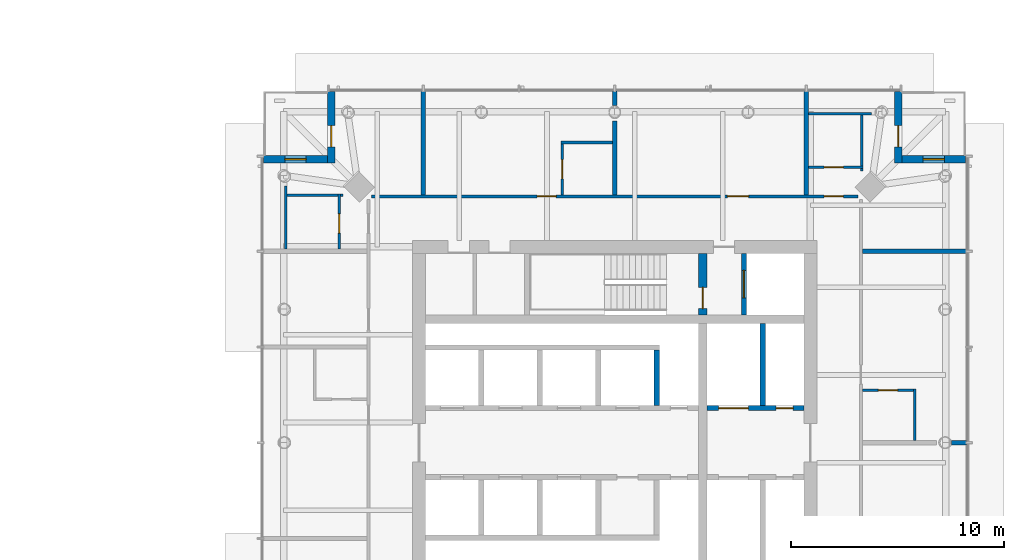
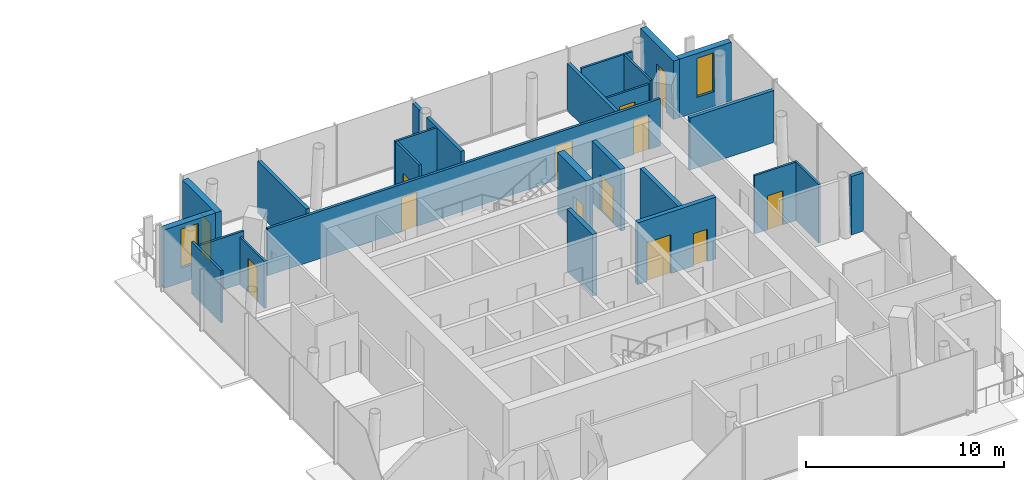
# One storey, part 15 of 20: 26 walls, 13 doors, 2 windows, 15 openings.
"""IFC4 building model written with IfcOpenShell, lengths in metres."""

import ifcopenshell
import ifcopenshell.guid

model = None  # the IFC model being written
_history = None  # IfcOwnerHistory: only IFC2X3 demands one
_inside = {}  # id of a spatial element -> (the spatial element, [elements in it])
_under = {}  # id of a project, library or spatial element -> (it, [spatial elements below it])
_declared = {}  # id of a project -> (the project, [libraries it declares])
_typed = {}  # id of a type object -> (the type object, [elements of that type])
_made_of = {}  # id of a material, layer set ... -> (it, [elements and type objects made of it])


def new_model(schema):
    """Start an empty IFC model of exactly this schema.

    Asked for "IFC4X3", IfcOpenShell would pick the latest addendum, in which some entities
    have other attributes; the version numbers below select the first issue.
    IFC2X3 requires an IfcOwnerHistory on every rooted entity: one is made here for all.
    """
    global model, _history
    if schema == "IFC4X3":
        model = ifcopenshell.file(schema_version=(4, 3, 0, 0))
    else:
        model = ifcopenshell.file(schema=schema)
    _inside.clear()
    _under.clear()
    _declared.clear()
    _typed.clear()
    _made_of.clear()
    _history = None
    if model.schema == "IFC2X3":
        org = make("IfcOrganization", Name="unknown")
        user = make(
            "IfcPersonAndOrganization",
            ThePerson=make("IfcPerson", FamilyName="unknown"),
            TheOrganization=org,
        )
        app = make(
            "IfcApplication",
            ApplicationDeveloper=org,
            Version="unknown",
            ApplicationFullName="unknown",
            ApplicationIdentifier="unknown",
        )
        _history = make(
            "IfcOwnerHistory",
            OwningUser=user,
            OwningApplication=app,
            ChangeAction="ADDED",
            CreationDate=0,
        )
    return model


def make(cls, **values):
    """One entity of the class cls with the attributes given. An attribute that is None is left unset."""
    return model.create_entity(
        cls, **{name: value for name, value in values.items() if value is not None}
    )


def rooted(cls, **values):
    """An entity with a GlobalId (a new one), such as an element, a storey or a relation."""
    return make(cls, GlobalId=ifcopenshell.guid.new(), OwnerHistory=_history, **values)


def si_unit(unit_type, name, prefix=None):
    """IfcSIUnit, for example si_unit("LENGTHUNIT", "METRE", prefix="MILLI")."""
    return make("IfcSIUnit", UnitType=unit_type, Prefix=prefix, Name=name)


def assignment(units):
    """IfcUnitAssignment: the units of a project."""
    return None if units is None else make("IfcUnitAssignment", Units=units)


def point(xyz):
    """IfcCartesianPoint."""
    return None if xyz is None else make("IfcCartesianPoint", Coordinates=xyz)


def direction(xyz):
    """IfcDirection."""
    return None if xyz is None else make("IfcDirection", DirectionRatios=xyz)


def frame(location, z_axis=None, x_axis=None):
    """IfcAxis2Placement3D, a coordinate frame: its origin and axes. An axis left out is left unset."""
    return make(
        "IfcAxis2Placement3D",
        Location=point(location),
        Axis=direction(z_axis),
        RefDirection=direction(x_axis),
    )


def frame_2d(location, x_axis=None):
    """IfcAxis2Placement2D, a coordinate frame in the plane: its origin and x axis."""
    return make(
        "IfcAxis2Placement2D", Location=point(location), RefDirection=direction(x_axis)
    )


def origin():
    """The frame at (0, 0, 0) with its axes left unset."""
    return frame((0.0, 0.0, 0.0))


def place(relative_to, where):
    """IfcLocalPlacement: puts the frame where relative to a parent placement (None: the world)."""
    return make(
        "IfcLocalPlacement", PlacementRelTo=relative_to, RelativePlacement=where
    )


def context(
    kind, dimensions, precision=None, world=None, true_north=None, identifier=None
):
    """IfcGeometricRepresentationContext, for example the 3D "Model" context."""
    return make(
        "IfcGeometricRepresentationContext",
        ContextIdentifier=identifier,
        ContextType=kind,
        CoordinateSpaceDimension=dimensions,
        Precision=precision,
        WorldCoordinateSystem=world,
        TrueNorth=true_north,
    )


def subcontext(parent, identifier, kind, view, scale=None):
    """IfcGeometricRepresentationSubContext, for example "Body" below "Model"."""
    return make(
        "IfcGeometricRepresentationSubContext",
        ContextIdentifier=identifier,
        ContextType=kind,
        ParentContext=parent,
        TargetScale=scale,
        TargetView=view,
    )


def project(units=None, contexts=None):
    """IfcProject with its units and contexts."""
    return rooted(
        "IfcProject",
        Name="project",
        RepresentationContexts=contexts,
        UnitsInContext=assignment(units),
    )


def spatial(cls, under=None, at=None, **own):
    """A site, building, storey or space (cls), placed at a placement, below another one or the project."""
    s = rooted(cls, ObjectPlacement=at, **own)
    if under is not None:
        _under.setdefault(under.id(), (under, []))[1].append(s)
    return s


def profile(cls, at=None, kind="AREA", **sizes):
    """A parametric profile (cls). Its sizes go by their IFC names, for example OverallWidth=200.0."""
    return make(cls, ProfileType=kind, Position=at, **sizes)


def rectangle(**sizes):
    """IfcRectangleProfileDef."""
    return profile("IfcRectangleProfileDef", **sizes)


def extrude(swept, where, along, depth):
    """IfcExtrudedAreaSolid: the profile swept, set in the frame where, extruded along a direction by depth."""
    return make(
        "IfcExtrudedAreaSolid",
        SweptArea=swept,
        Position=where,
        ExtrudedDirection=direction(along),
        Depth=depth,
    )


def shape(context_of_items, identifier, shape_type, items):
    """IfcShapeRepresentation: the items that make up one representation, for example the "Body"."""
    return make(
        "IfcShapeRepresentation",
        ContextOfItems=context_of_items,
        RepresentationIdentifier=identifier,
        RepresentationType=shape_type,
        Items=items,
    )


def material(Name=None, Category=None):
    """IfcMaterial."""
    return make("IfcMaterial", Name=Name, Category=Category)


def layer(
    of_material, thickness, ventilated=None, Name=None, Category=None, Priority=None
):
    """IfcMaterialLayer: one layer of a wall or slab, of a material (None: an air gap)."""
    return make(
        "IfcMaterialLayer",
        Material=of_material,
        LayerThickness=thickness,
        IsVentilated=ventilated,
        Name=Name,
        Category=Category,
        Priority=Priority,
    )


def layer_set(layers, Name=None):
    """IfcMaterialLayerSet."""
    return make("IfcMaterialLayerSet", MaterialLayers=layers, LayerSetName=Name)


def made_of(thing, what):
    """Note that an element or type object is made of a material, layer set ...; save() writes the relation."""
    if what is not None:
        _made_of.setdefault(what.id(), (what, []))[1].append(thing)
    return thing


def type_object(cls, material=None, **own):
    """A type object (cls), such as IfcWallType, which elements share."""
    return made_of(rooted(cls, **own), material)


def element(
    cls,
    number,
    at=None,
    inside=None,
    cuts=None,
    type_object=None,
    material=None,
    context=None,
    identifier="Body",
    shape_type=None,
    held_by="IfcProductDefinitionShape",
    body=None,
    shapes=None,
    **own,
):
    """One element of the class cls, such as IfcWall. Its Tag is "e" and its number.

    at: its placement. inside: the storey or other place that contains it. cuts: it is an
    opening in that element (IfcRelVoidsElement). A single representation is given by context,
    identifier, shape_type and body (its items); several are given by shapes. held_by: the class
    of the entity that holds the representations. save() writes the other relations.
    """
    e = rooted(cls, Tag="e%d" % number, ObjectPlacement=at, **own)
    if body is not None:
        shapes = [shape(context, identifier, shape_type, body)]
    if shapes is not None:
        e.Representation = make(held_by, Representations=shapes)
    if inside is not None:
        _inside.setdefault(inside.id(), (inside, []))[1].append(e)
    if cuts is not None:
        rooted(
            "IfcRelVoidsElement", RelatingBuildingElement=cuts, RelatedOpeningElement=e
        )
    if type_object is not None:
        _typed.setdefault(type_object.id(), (type_object, []))[1].append(e)
    return made_of(e, material)


def fill(opening, filler):
    """IfcRelFillsElement: the door or window that sits in an opening."""
    return rooted(
        "IfcRelFillsElement",
        RelatingOpeningElement=opening,
        RelatedBuildingElement=filler,
    )


def aggregate(whole, parts):
    """IfcRelAggregates: a whole, such as a stair, and the parts it consists of."""
    return rooted("IfcRelAggregates", RelatingObject=whole, RelatedObjects=parts)


def save(model, path):
    """Write the relations noted so far, then the file.

    IfcRelAggregates (storeys below a building ...), IfcRelContainedInSpatialStructure (elements
    in a storey), IfcRelDefinesByType, IfcRelAssociatesMaterial and IfcRelDeclares: one each for
    every whole, place, type object, material and project.
    """
    for whole, parts in _under.values():
        aggregate(whole, parts)
    for where, things in _inside.values():
        rooted(
            "IfcRelContainedInSpatialStructure",
            RelatedElements=things,
            RelatingStructure=where,
        )
    for kind, things in _typed.values():
        rooted("IfcRelDefinesByType", RelatedObjects=things, RelatingType=kind)
    for what, things in _made_of.values():
        rooted("IfcRelAssociatesMaterial", RelatedObjects=things, RelatingMaterial=what)
    for by, libraries in _declared.values():
        rooted("IfcRelDeclares", RelatingContext=by, RelatedDefinitions=libraries)
    model.write(path)


model = new_model("IFC4")

# Units and contexts
model_context = context("Model", 3, precision=1e-05, world=origin(), true_north=direction((0.0, 1.0)))
body_context = subcontext(model_context, "Body", "Model", "MODEL_VIEW")
ifc_project = project(units=[si_unit("LENGTHUNIT", "METRE"), si_unit("AREAUNIT", "SQUARE_METRE"), si_unit("VOLUMEUNIT", "CUBIC_METRE"), si_unit("PLANEANGLEUNIT", "RADIAN"), si_unit("MASSUNIT", "GRAM", prefix="KILO")], contexts=[model_context])

# Site, building, storey
site_placement = place(None, origin())
site = spatial("IfcSite", under=ifc_project, at=site_placement, CompositionType="ELEMENT")
building_placement = place(site_placement, origin())
building = spatial("IfcBuilding", under=site, at=building_placement, Name="Ostroluk Exchange", CompositionType="ELEMENT")
storey_placement = place(building_placement, frame((0.0, 0.0, 100.800048828125)))
storey = spatial("IfcBuildingStorey", under=building, at=storey_placement, Name="L25", CompositionType="ELEMENT", Elevation=100.800048828125)

# Wall, opening, door
ifc_material_1 = material(Name="Concrete C50/60", Category="concrete")
ifc_layer_1 = layer(ifc_material_1, 0.39990234375)
ifc_layer_set_1 = layer_set([ifc_layer_1], Name="Core cross wall 400 C50/60")
wall_type_1 = type_object("IfcWallType", Name="Core cross wall 400 C50/60", PredefinedType="SHEAR", material=ifc_layer_set_1)
wall_1_placement = place(storey_placement, frame((121.1298828125, 52.0, 0.0), z_axis=(0.0, 0.0, 1.0), x_axis=(0.0, 1.0, 0.0)))
wall_1 = element("IfcWall", 1, at=wall_1_placement, inside=storey, type_object=wall_type_1, Name="T2 core wall YE3", PredefinedType="SHEAR", context=body_context, shape_type="SweptSolid", body=[
    extrude(rectangle(XDim=2.89990234375, YDim=0.39990234375, at=frame_2d((1.449951171875, 0.0))), origin(), (0.0, 0.0, 1.0), 3.800048828125),
])
opening_1_placement = place(wall_1_placement, frame((0.300048828125, 0.0, 0.0)))
opening_1 = element("IfcOpeningElement", 2, at=opening_1_placement, cuts=wall_1, Name="Opening FD60", PredefinedType="OPENING", context=body_context, shape_type="SweptSolid", body=[
    extrude(rectangle(XDim=1.0, YDim=2.10009765625, at=frame_2d((0.5, 1.050048828125))), frame((0.0, 0.2099609375, 0.0), z_axis=(0.0, -1.0, 0.0), x_axis=(1.0, 0.0, 0.0)), (0.0, 0.0, 1.0), 0.419921875),
])
ifc_material_2 = material(Name="Steel", Category="steel")
door_type_1 = type_object("IfcDoorType", Name="Fire door EI 60 1000 x 2100", OperationType="SINGLE_SWING_LEFT", PredefinedType="DOOR", material=ifc_material_2)
door_1_placement = place(opening_1_placement, origin())
door_1 = element("IfcDoor", 3, at=door_1_placement, inside=storey, type_object=door_type_1, Name="Stair T2-S2 door", OperationType="SINGLE_SWING_LEFT", OverallHeight=2.10009765625, OverallWidth=1.0, PredefinedType="DOOR", context=body_context, shape_type="SweptSolid", body=[
    extrude(rectangle(XDim=1.0, YDim=2.10009765625, at=frame_2d((0.5, 1.050048828125))), frame((0.0, 0.02490234375, 0.0), z_axis=(0.0, -1.0, 0.0), x_axis=(1.0, 0.0, 0.0)), (0.0, 0.0, 1.0), 0.050048828125),
])
fill(opening_1, door_1)

ifc_material_3 = material(Name="Concrete C40/50", Category="concrete")
ifc_layer_2 = layer(ifc_material_3, 0.25)
ifc_layer_set_2 = layer_set([ifc_layer_2], Name="Core shaft wall 250")
wall_type_2 = type_object("IfcWallType", Name="Core shaft wall 250", PredefinedType="SHEAR", material=ifc_layer_set_2)
wall_2_placement = place(storey_placement, frame((123.074951171875, 52.0, 0.0), z_axis=(0.0, 0.0, 1.0), x_axis=(0.0, 1.0, 0.0)))
wall_2 = element("IfcWall", 4, at=wall_2_placement, inside=storey, type_object=wall_type_2, Name="Firefighting lift shaft wall", PredefinedType="SHEAR", context=body_context, shape_type="SweptSolid", body=[
    extrude(rectangle(XDim=2.89990234375, YDim=0.25, at=frame_2d((1.449951171875, 0.0))), origin(), (0.0, 0.0, 1.0), 3.800048828125),
])
opening_2_placement = place(wall_2_placement, frame((0.800048828125, 0.0, 0.0)))
opening_2 = element("IfcOpeningElement", 5, at=opening_2_placement, cuts=wall_2, Name="Opening LD2", PredefinedType="OPENING", context=body_context, shape_type="SweptSolid", body=[
    extrude(rectangle(XDim=1.300048828125, YDim=2.199951171875, at=frame_2d((0.64990234375, 1.10009765625))), frame((0.0, 0.135009765625, 0.0), z_axis=(0.0, -1.0, 0.0), x_axis=(1.0, 0.0, 0.0)), (0.0, 0.0, 1.0), 0.27001953125),
])
ifc_material_4 = material(Name="Stainless steel", Category="steel")
door_type_2 = type_object("IfcDoorType", Name="Lift landing door E 60 1300 x 2200", OperationType="DOUBLE_DOOR_SLIDING", PredefinedType="DOOR", material=ifc_material_4)
door_2_placement = place(opening_2_placement, origin())
door_2 = element("IfcDoor", 6, at=door_2_placement, inside=storey, type_object=door_type_2, Name="Lift HF2 landing door", OperationType="DOUBLE_DOOR_SLIDING", OverallHeight=2.199951171875, OverallWidth=1.300048828125, PredefinedType="DOOR", context=body_context, shape_type="SweptSolid", body=[
    extrude(rectangle(XDim=1.300048828125, YDim=2.199951171875, at=frame_2d((0.64990234375, 1.10009765625))), frame((0.0, 0.02490234375, 0.0), z_axis=(0.0, -1.0, 0.0), x_axis=(1.0, 0.0, 0.0)), (0.0, 0.0, 1.0), 0.050048828125),
])
fill(opening_2, door_2)

# Walls
wall_3_placement = place(storey_placement, frame((118.97509765625, 47.75, 0.0), z_axis=(0.0, 0.0, 1.0), x_axis=(0.0, 1.0, 0.0)))
element("IfcWall", 7, at=wall_3_placement, inside=storey, type_object=wall_type_2, Name="Lift shaft wall", PredefinedType="SHEAR", context=body_context, shape_type="SweptSolid", body=[
    extrude(rectangle(XDim=2.60009765625, YDim=0.25, at=frame_2d((1.300048828125, 0.0))), origin(), (0.0, 0.0, 1.0), 3.800048828125),
])
wall_4_placement = place(storey_placement, frame((123.955078125, 47.75, 0.0), z_axis=(0.0, 0.0, 1.0), x_axis=(0.0, 1.0, 0.0)))
element("IfcWall", 8, at=wall_4_placement, inside=storey, type_object=wall_type_2, Name="Lift shaft wall", PredefinedType="SHEAR", context=body_context, shape_type="SweptSolid", body=[
    extrude(rectangle(XDim=3.85009765625, YDim=0.25, at=frame_2d((1.925048828125, 0.0))), origin(), (0.0, 0.0, 1.0), 3.800048828125),
])

# Wall, openings, doors
wall_5_placement = place(storey_placement, frame((121.330078125, 47.625, 0.0), z_axis=(0.0, 0.0, 1.0), x_axis=(1.0, 0.0, 0.0)))
wall_5 = element("IfcWall", 9, at=wall_5_placement, inside=storey, type_object=wall_type_2, Name="Lift shaft front wall", PredefinedType="SHEAR", context=body_context, shape_type="SweptSolid", body=[
    extrude(rectangle(XDim=4.56982421875, YDim=0.25, at=frame_2d((2.284912109375, 0.0))), origin(), (0.0, 0.0, 1.0), 3.800048828125),
])
opening_3_placement = place(wall_5_placement, frame((0.550048828125, 0.0, 0.0)))
opening_3 = element("IfcOpeningElement", 10, at=opening_3_placement, cuts=wall_5, Name="Opening LD3", PredefinedType="OPENING", context=body_context, shape_type="SweptSolid", body=[
    extrude(rectangle(XDim=1.39990234375, YDim=2.39990234375, at=frame_2d((0.699951171875, 1.199951171875))), frame((0.0, 0.135009765625, 0.0), z_axis=(0.0, -1.0, 0.0), x_axis=(1.0, 0.0, 0.0)), (0.0, 0.0, 1.0), 0.27001953125),
])
opening_4_placement = place(wall_5_placement, frame((3.260009765625, 0.0, 0.0)))
opening_4 = element("IfcOpeningElement", 11, at=opening_4_placement, cuts=wall_5, Name="Opening RD60", PredefinedType="OPENING", context=body_context, shape_type="SweptSolid", body=[
    extrude(rectangle(XDim=0.800048828125, YDim=2.0, at=frame_2d((0.39990234375, 1.0))), frame((0.0, 0.135009765625, 0.0), z_axis=(0.0, -1.0, 0.0), x_axis=(1.0, 0.0, 0.0)), (0.0, 0.0, 1.0), 0.27001953125),
])
ifc_material_5 = material(Name="Stainless steel", Category="steel")
door_type_3 = type_object("IfcDoorType", Name="Goods lift landing door E 60 1400 x 2400", OperationType="DOUBLE_DOOR_SLIDING", PredefinedType="DOOR", material=ifc_material_5)
door_3_placement = place(opening_3_placement, origin())
door_3 = element("IfcDoor", 12, at=door_3_placement, inside=storey, type_object=door_type_3, Name="Lift HS1 landing door", OperationType="DOUBLE_DOOR_SLIDING", OverallHeight=2.39990234375, OverallWidth=1.39990234375, PredefinedType="DOOR", context=body_context, shape_type="SweptSolid", body=[
    extrude(rectangle(XDim=1.39990234375, YDim=2.39990234375, at=frame_2d((0.699951171875, 1.199951171875))), frame((0.0, 0.02490234375, 0.0), z_axis=(0.0, -1.0, 0.0), x_axis=(1.0, 0.0, 0.0)), (0.0, 0.0, 1.0), 0.050048828125),
])
fill(opening_3, door_3)
ifc_material_6 = material(Name="Steel", Category="steel")
door_type_4 = type_object("IfcDoorType", Name="Riser access door EI 60 800 x 2000", OperationType="SINGLE_SWING_LEFT", PredefinedType="DOOR", material=ifc_material_6)
door_4_placement = place(opening_4_placement, origin())
door_4 = element("IfcDoor", 13, at=door_4_placement, inside=storey, type_object=door_type_4, Name="Riser access door", OperationType="SINGLE_SWING_RIGHT", OverallHeight=2.0, OverallWidth=0.800048828125, PredefinedType="DOOR", context=body_context, shape_type="SweptSolid", body=[
    extrude(rectangle(XDim=0.800048828125, YDim=2.0, at=frame_2d((0.39990234375, 1.0))), frame((0.0, 0.02490234375, 0.0), z_axis=(0.0, -1.0, 0.0), x_axis=(1.0, 0.0, 0.0)), (0.0, 0.0, 1.0), 0.050048828125),
])
fill(opening_4, door_4)

# Wall, opening, door
ifc_material_7 = material(Name="Limestone", Category="masonry")
ifc_layer_3 = layer(ifc_material_7, 0.35009765625)
ifc_layer_set_3 = layer_set([ifc_layer_3], Name="Limestone facade wall 350")
wall_type_3 = type_object("IfcWallType", Name="Limestone facade wall 350", PredefinedType="SOLIDWALL", material=ifc_layer_set_3)
wall_6_placement = place(storey_placement, frame((130.324951171875, 62.5, 0.0), z_axis=(0.0, 0.0, 1.0), x_axis=(0.0, -1.0, 0.0)))
wall_6 = element("IfcWall", 14, at=wall_6_placement, inside=storey, type_object=wall_type_3, Name="Hotel tower NE corner wall L25 a", PredefinedType="SOLIDWALL", context=body_context, shape_type="SweptSolid", body=[
    extrude(rectangle(XDim=3.35009765625, YDim=0.35009765625, at=frame_2d((1.675048828125, 0.0))), origin(), (0.0, 0.0, 1.0), 3.599853515625),
])
opening_5_placement = place(wall_6_placement, frame((1.60009765625, 0.0, 0.0)))
opening_5 = element("IfcOpeningElement", 15, at=opening_5_placement, cuts=wall_6, Name="Opening D-B1", PredefinedType="OPENING", context=body_context, shape_type="SweptSolid", body=[
    extrude(rectangle(XDim=1.0, YDim=2.39990234375, at=frame_2d((0.5, 1.199951171875))), frame((0.0, 0.18505859375, 0.0), z_axis=(0.0, -1.0, 0.0), x_axis=(1.0, 0.0, 0.0)), (0.0, 0.0, 1.0), 0.3701171875),
])
ifc_material_8 = material(Name="Bronze framed glazed door", Category="aluminium")
door_type_5 = type_object("IfcDoorType", Name="Balcony door 1000 x 2400", OperationType="SINGLE_SWING_LEFT", PredefinedType="DOOR", material=ifc_material_8)
door_5_placement = place(opening_5_placement, origin())
door_5 = element("IfcDoor", 16, at=door_5_placement, inside=storey, type_object=door_type_5, Name="Hotel tower NE balcony door L25", OperationType="SINGLE_SWING_RIGHT", OverallHeight=2.39990234375, OverallWidth=1.0, PredefinedType="DOOR", context=body_context, shape_type="SweptSolid", body=[
    extrude(rectangle(XDim=1.0, YDim=2.39990234375, at=frame_2d((0.5, 1.199951171875))), frame((0.0, 0.02490234375, 0.0), z_axis=(0.0, -1.0, 0.0), x_axis=(1.0, 0.0, 0.0)), (0.0, 0.0, 1.0), 0.050048828125),
])
fill(opening_5, door_5)

# Wall, opening, window
wall_7_placement = place(storey_placement, frame((130.5, 59.324951171875, 0.0), z_axis=(0.0, 0.0, 1.0), x_axis=(1.0, 0.0, 0.0)))
wall_7 = element("IfcWall", 17, at=wall_7_placement, inside=storey, type_object=wall_type_3, Name="Hotel tower NE corner wall L25 b", PredefinedType="SOLIDWALL", context=body_context, shape_type="SweptSolid", body=[
    extrude(rectangle(XDim=3.0, YDim=0.35009765625, at=frame_2d((1.5, 0.0))), origin(), (0.0, 0.0, 1.0), 3.599853515625),
])
opening_6_placement = place(wall_7_placement, frame((1.0, 0.0, 0.89990234375)))
opening_6 = element("IfcOpeningElement", 18, at=opening_6_placement, cuts=wall_7, Name="Opening WN-L3", PredefinedType="OPENING", context=body_context, shape_type="SweptSolid", body=[
    extrude(rectangle(XDim=1.0, YDim=2.39990234375, at=frame_2d((0.5, 1.199951171875))), frame((0.0, 0.18505859375, 0.0), z_axis=(0.0, -1.0, 0.0), x_axis=(1.0, 0.0, 0.0)), (0.0, 0.0, 1.0), 0.3701171875),
])
ifc_material_9 = material(Name="Laminated clear glass", Category="glass")
window_type = type_object("IfcWindowType", Name="Hotel lancet window 1000 x 2400", PartitioningType="SINGLE_PANEL", PredefinedType="WINDOW", material=ifc_material_9)
window_1_placement = place(opening_6_placement, origin())
window_1 = element("IfcWindow", 19, at=window_1_placement, inside=storey, type_object=window_type, Name="Hotel tower NE lancet window L25", OverallHeight=2.39990234375, OverallWidth=1.0, PartitioningType="SINGLE_PANEL", PredefinedType="WINDOW", context=body_context, shape_type="SweptSolid", body=[
    extrude(rectangle(XDim=1.0, YDim=2.39990234375, at=frame_2d((0.5, 1.199951171875))), frame((0.0, 0.030029296875, 0.0), z_axis=(0.0, -1.0, 0.0), x_axis=(1.0, 0.0, 0.0)), (0.0, 0.0, 1.0), 0.06005859375),
])
fill(opening_6, window_1)

# Wall, opening, door
wall_8_placement = place(storey_placement, frame((103.675048828125, 62.5, 0.0), z_axis=(0.0, 0.0, 1.0), x_axis=(0.0, -1.0, 0.0)))
wall_8 = element("IfcWall", 20, at=wall_8_placement, inside=storey, type_object=wall_type_3, Name="Hotel tower NW corner wall L25 a", PredefinedType="SOLIDWALL", context=body_context, shape_type="SweptSolid", body=[
    extrude(rectangle(XDim=3.35009765625, YDim=0.35009765625, at=frame_2d((1.675048828125, 0.0))), origin(), (0.0, 0.0, 1.0), 3.599853515625),
])
opening_7_placement = place(wall_8_placement, frame((1.60009765625, 0.0, 0.0)))
opening_7 = element("IfcOpeningElement", 21, at=opening_7_placement, cuts=wall_8, Name="Opening D-B1", PredefinedType="OPENING", context=body_context, shape_type="SweptSolid", body=[
    extrude(rectangle(XDim=1.0, YDim=2.39990234375, at=frame_2d((0.5, 1.199951171875))), frame((0.0, 0.18505859375, 0.0), z_axis=(0.0, -1.0, 0.0), x_axis=(1.0, 0.0, 0.0)), (0.0, 0.0, 1.0), 0.3701171875),
])
door_6_placement = place(opening_7_placement, origin())
door_6 = element("IfcDoor", 22, at=door_6_placement, inside=storey, type_object=door_type_5, Name="Hotel tower NW balcony door L25", OperationType="SINGLE_SWING_RIGHT", OverallHeight=2.39990234375, OverallWidth=1.0, PredefinedType="DOOR", context=body_context, shape_type="SweptSolid", body=[
    extrude(rectangle(XDim=1.0, YDim=2.39990234375, at=frame_2d((0.5, 1.199951171875))), frame((0.0, 0.02490234375, 0.0), z_axis=(0.0, -1.0, 0.0), x_axis=(1.0, 0.0, 0.0)), (0.0, 0.0, 1.0), 0.050048828125),
])
fill(opening_7, door_6)

# Wall, opening, window
wall_9_placement = place(storey_placement, frame((103.5, 59.324951171875, 0.0), z_axis=(0.0, 0.0, 1.0), x_axis=(-1.0, 0.0, 0.0)))
wall_9 = element("IfcWall", 23, at=wall_9_placement, inside=storey, type_object=wall_type_3, Name="Hotel tower NW corner wall L25 b", PredefinedType="SOLIDWALL", context=body_context, shape_type="SweptSolid", body=[
    extrude(rectangle(XDim=3.0, YDim=0.35009765625, at=frame_2d((1.5, 0.0))), origin(), (0.0, 0.0, 1.0), 3.599853515625),
])
opening_8_placement = place(wall_9_placement, frame((1.0, 0.0, 0.89990234375)))
opening_8 = element("IfcOpeningElement", 24, at=opening_8_placement, cuts=wall_9, Name="Opening WN-L3", PredefinedType="OPENING", context=body_context, shape_type="SweptSolid", body=[
    extrude(rectangle(XDim=1.0, YDim=2.39990234375, at=frame_2d((0.5, 1.199951171875))), frame((0.0, 0.18505859375, 0.0), z_axis=(0.0, -1.0, 0.0), x_axis=(1.0, 0.0, 0.0)), (0.0, 0.0, 1.0), 0.3701171875),
])
window_2_placement = place(opening_8_placement, origin())
window_2 = element("IfcWindow", 25, at=window_2_placement, inside=storey, type_object=window_type, Name="Hotel tower NW lancet window L25", OverallHeight=2.39990234375, OverallWidth=1.0, PartitioningType="SINGLE_PANEL", PredefinedType="WINDOW", context=body_context, shape_type="SweptSolid", body=[
    extrude(rectangle(XDim=1.0, YDim=2.39990234375, at=frame_2d((0.5, 1.199951171875))), frame((0.0, 0.030029296875, 0.0), z_axis=(0.0, -1.0, 0.0), x_axis=(1.0, 0.0, 0.0)), (0.0, 0.0, 1.0), 0.06005859375),
])
fill(opening_8, window_2)

# Wall
ifc_material_10 = material(Name="Gypsum plasterboard partition, moisture resistant", Category="gypsum")
ifc_layer_4 = layer(ifc_material_10, 0.1201171875)
ifc_layer_set_4 = layer_set([ifc_layer_4], Name="Plasterboard en-suite wall 120")
wall_type_4 = type_object("IfcWallType", Name="Plasterboard en-suite wall 120", PredefinedType="PARTITIONING", material=ifc_layer_set_4)
wall_10_placement = place(storey_placement, frame((131.110107421875, 46.10009765625, 0.0), z_axis=(0.0, 0.0, 1.0), x_axis=(0.0, 1.0, 0.0)))
element("IfcWall", 26, at=wall_10_placement, inside=storey, type_object=wall_type_4, Name="En-suite wall", PredefinedType="PARTITIONING", context=body_context, shape_type="SweptSolid", body=[
    extrude(rectangle(XDim=2.419921875, YDim=0.1201171875, at=frame_2d((1.2099609375, 0.0))), origin(), (0.0, 0.0, 1.0), 3.599853515625),
])

# Wall, opening, door
wall_11_placement = place(storey_placement, frame((128.64990234375, 48.4599609375, 0.0), z_axis=(0.0, 0.0, 1.0), x_axis=(1.0, 0.0, 0.0)))
wall_11 = element("IfcWall", 27, at=wall_11_placement, inside=storey, type_object=wall_type_4, Name="En-suite wall", PredefinedType="PARTITIONING", context=body_context, shape_type="SweptSolid", body=[
    extrude(rectangle(XDim=2.400146484375, YDim=0.1201171875, at=frame_2d((1.2001953125, 0.0))), origin(), (0.0, 0.0, 1.0), 3.599853515625),
])
opening_9_placement = place(wall_11_placement, frame((0.75, 0.0, 0.0)))
opening_9 = element("IfcOpeningElement", 28, at=opening_9_placement, cuts=wall_11, Name="Opening D-02", PredefinedType="OPENING", context=body_context, shape_type="SweptSolid", body=[
    extrude(rectangle(XDim=0.89990234375, YDim=2.10009765625, at=frame_2d((0.449951171875, 1.050048828125))), frame((0.0, 0.070068359375, 0.0), z_axis=(0.0, -1.0, 0.0), x_axis=(1.0, 0.0, 0.0)), (0.0, 0.0, 1.0), 0.14013671875),
])
ifc_material_11 = material(Name="Timber", Category="wood")
door_type_6 = type_object("IfcDoorType", Name="En-suite door 900 x 2100", OperationType="SINGLE_SWING_LEFT", PredefinedType="DOOR", material=ifc_material_11)
door_7_placement = place(opening_9_placement, origin())
door_7 = element("IfcDoor", 29, at=door_7_placement, inside=storey, type_object=door_type_6, Name="En-suite door 2502", OperationType="SINGLE_SWING_LEFT", OverallHeight=2.10009765625, OverallWidth=0.89990234375, PredefinedType="DOOR", context=body_context, shape_type="SweptSolid", body=[
    extrude(rectangle(XDim=0.89990234375, YDim=2.10009765625, at=frame_2d((0.449951171875, 1.050048828125))), frame((0.0, 0.02490234375, 0.0), z_axis=(0.0, -1.0, 0.0), x_axis=(1.0, 0.0, 0.0)), (0.0, 0.0, 1.0), 0.050048828125),
])
fill(opening_9, door_7)

wall_12_placement = place(storey_placement, frame((126.10009765625, 58.949951171875, 0.0), z_axis=(0.0, 0.0, 1.0), x_axis=(1.0, 0.0, 0.0)))
wall_12 = element("IfcWall", 30, at=wall_12_placement, inside=storey, type_object=wall_type_4, Name="En-suite wall", PredefinedType="PARTITIONING", context=body_context, shape_type="SweptSolid", body=[
    extrude(rectangle(XDim=2.579833984375, YDim=0.1201171875, at=frame_2d((1.2900390625, 0.0))), origin(), (0.0, 0.0, 1.0), 2.89990234375),
])
opening_10_placement = place(wall_12_placement, frame((0.75, 0.0, 0.0)))
opening_10 = element("IfcOpeningElement", 31, at=opening_10_placement, cuts=wall_12, Name="Opening D-02", PredefinedType="OPENING", context=body_context, shape_type="SweptSolid", body=[
    extrude(rectangle(XDim=0.89990234375, YDim=2.10009765625, at=frame_2d((0.449951171875, 1.050048828125))), frame((0.0, 0.070068359375, 0.0), z_axis=(0.0, -1.0, 0.0), x_axis=(1.0, 0.0, 0.0)), (0.0, 0.0, 1.0), 0.14013671875),
])
door_8_placement = place(opening_10_placement, origin())
door_8 = element("IfcDoor", 32, at=door_8_placement, inside=storey, type_object=door_type_6, Name="En-suite door 2503", OperationType="SINGLE_SWING_LEFT", OverallHeight=2.10009765625, OverallWidth=0.89990234375, PredefinedType="DOOR", context=body_context, shape_type="SweptSolid", body=[
    extrude(rectangle(XDim=0.89990234375, YDim=2.10009765625, at=frame_2d((0.449951171875, 1.050048828125))), frame((0.0, 0.02490234375, 0.0), z_axis=(0.0, -1.0, 0.0), x_axis=(1.0, 0.0, 0.0)), (0.0, 0.0, 1.0), 0.050048828125),
])
fill(opening_10, door_8)

# Walls
wall_13_placement = place(storey_placement, frame((126.10009765625, 61.469970703125, 0.0), z_axis=(0.0, 0.0, 1.0), x_axis=(1.0, 0.0, 0.0)))
element("IfcWall", 33, at=wall_13_placement, inside=storey, type_object=wall_type_4, Name="En-suite wall", PredefinedType="PARTITIONING", context=body_context, shape_type="SweptSolid", body=[
    extrude(rectangle(XDim=2.969970703125, YDim=0.1201171875, at=frame_2d((1.48486328125, 0.0))), origin(), (0.0, 0.0, 1.0), 3.199951171875),
])
wall_14_placement = place(storey_placement, frame((128.6201171875, 58.767333984375, 0.0), z_axis=(0.0, 0.0, 1.0), x_axis=(0.0, 1.0, 0.0)))
element("IfcWall", 34, at=wall_14_placement, inside=storey, type_object=wall_type_4, Name="En-suite wall", PredefinedType="PARTITIONING", context=body_context, shape_type="SweptSolid", body=[
    extrude(rectangle(XDim=2.642578125, YDim=0.1201171875, at=frame_2d((1.3212890625, 0.0))), origin(), (0.0, 0.0, 1.0), 3.199951171875),
])
wall_15_placement = place(storey_placement, frame((116.89990234375, 60.110107421875, 0.0), z_axis=(0.0, 0.0, 1.0), x_axis=(-1.0, 0.0, 0.0)))
element("IfcWall", 35, at=wall_15_placement, inside=storey, type_object=wall_type_4, Name="En-suite wall", PredefinedType="PARTITIONING", context=body_context, shape_type="SweptSolid", body=[
    extrude(rectangle(XDim=2.419921875, YDim=0.1201171875, at=frame_2d((1.2099609375, 0.0))), origin(), (0.0, 0.0, 1.0), 3.599853515625),
])

# Wall, opening, door
wall_16_placement = place(storey_placement, frame((114.5400390625, 57.64990234375, 0.0), z_axis=(0.0, 0.0, 1.0), x_axis=(0.0, 1.0, 0.0)))
wall_16 = element("IfcWall", 36, at=wall_16_placement, inside=storey, type_object=wall_type_4, Name="En-suite wall", PredefinedType="PARTITIONING", context=body_context, shape_type="SweptSolid", body=[
    extrude(rectangle(XDim=2.400146484375, YDim=0.1201171875, at=frame_2d((1.2001953125, 0.0))), origin(), (0.0, 0.0, 1.0), 3.599853515625),
])
opening_11_placement = place(wall_16_placement, frame((0.75, 0.0, 0.0)))
opening_11 = element("IfcOpeningElement", 37, at=opening_11_placement, cuts=wall_16, Name="Opening D-02", PredefinedType="OPENING", context=body_context, shape_type="SweptSolid", body=[
    extrude(rectangle(XDim=0.89990234375, YDim=2.10009765625, at=frame_2d((0.449951171875, 1.050048828125))), frame((0.0, 0.070068359375, 0.0), z_axis=(0.0, -1.0, 0.0), x_axis=(1.0, 0.0, 0.0)), (0.0, 0.0, 1.0), 0.14013671875),
])
door_9_placement = place(opening_11_placement, origin())
door_9 = element("IfcDoor", 38, at=door_9_placement, inside=storey, type_object=door_type_6, Name="En-suite door 2504", OperationType="SINGLE_SWING_RIGHT", OverallHeight=2.10009765625, OverallWidth=0.89990234375, PredefinedType="DOOR", context=body_context, shape_type="SweptSolid", body=[
    extrude(rectangle(XDim=0.89990234375, YDim=2.10009765625, at=frame_2d((0.449951171875, 1.050048828125))), frame((0.0, 0.02490234375, 0.0), z_axis=(0.0, -1.0, 0.0), x_axis=(1.0, 0.0, 0.0)), (0.0, 0.0, 1.0), 0.050048828125),
])
fill(opening_11, door_9)

wall_17_placement = place(storey_placement, frame((104.050048828125, 55.10009765625, 0.0), z_axis=(0.0, 0.0, 1.0), x_axis=(0.0, 1.0, 0.0)))
wall_17 = element("IfcWall", 39, at=wall_17_placement, inside=storey, type_object=wall_type_4, Name="En-suite wall", PredefinedType="PARTITIONING", context=body_context, shape_type="SweptSolid", body=[
    extrude(rectangle(XDim=2.579833984375, YDim=0.1201171875, at=frame_2d((1.2900390625, 0.0))), origin(), (0.0, 0.0, 1.0), 2.89990234375),
])
opening_12_placement = place(wall_17_placement, frame((0.75, 0.0, 0.0)))
opening_12 = element("IfcOpeningElement", 40, at=opening_12_placement, cuts=wall_17, Name="Opening D-02", PredefinedType="OPENING", context=body_context, shape_type="SweptSolid", body=[
    extrude(rectangle(XDim=0.89990234375, YDim=2.10009765625, at=frame_2d((0.449951171875, 1.050048828125))), frame((0.0, 0.070068359375, 0.0), z_axis=(0.0, -1.0, 0.0), x_axis=(1.0, 0.0, 0.0)), (0.0, 0.0, 1.0), 0.14013671875),
])
door_10_placement = place(opening_12_placement, origin())
door_10 = element("IfcDoor", 41, at=door_10_placement, inside=storey, type_object=door_type_6, Name="En-suite door 2505", OperationType="SINGLE_SWING_LEFT", OverallHeight=2.10009765625, OverallWidth=0.89990234375, PredefinedType="DOOR", context=body_context, shape_type="SweptSolid", body=[
    extrude(rectangle(XDim=0.89990234375, YDim=2.10009765625, at=frame_2d((0.449951171875, 1.050048828125))), frame((0.0, 0.02490234375, 0.0), z_axis=(0.0, -1.0, 0.0), x_axis=(1.0, 0.0, 0.0)), (0.0, 0.0, 1.0), 0.050048828125),
])
fill(opening_12, door_10)

# Walls
wall_18_placement = place(storey_placement, frame((101.530029296875, 55.10009765625, 0.0), z_axis=(0.0, 0.0, 1.0), x_axis=(0.0, 1.0, 0.0)))
element("IfcWall", 42, at=wall_18_placement, inside=storey, type_object=wall_type_4, Name="En-suite wall", PredefinedType="PARTITIONING", context=body_context, shape_type="SweptSolid", body=[
    extrude(rectangle(XDim=2.969970703125, YDim=0.1201171875, at=frame_2d((1.48486328125, 0.0))), origin(), (0.0, 0.0, 1.0), 3.199951171875),
])
wall_19_placement = place(storey_placement, frame((104.232666015625, 57.6201171875, 0.0), z_axis=(0.0, 0.0, 1.0), x_axis=(-1.0, 0.0, 0.0)))
element("IfcWall", 43, at=wall_19_placement, inside=storey, type_object=wall_type_4, Name="En-suite wall", PredefinedType="PARTITIONING", context=body_context, shape_type="SweptSolid", body=[
    extrude(rectangle(XDim=2.642578125, YDim=0.1201171875, at=frame_2d((1.3212890625, 0.0))), origin(), (0.0, 0.0, 1.0), 3.199951171875),
])

# Wall, openings, doors
ifc_material_12 = material(Name="Gypsum plasterboard partition", Category="gypsum")
ifc_layer_5 = layer(ifc_material_12, 0.14990234375)
ifc_layer_set_5 = layer_set([ifc_layer_5], Name="Plasterboard partition 150")
wall_type_5 = type_object("IfcWallType", Name="Plasterboard partition 150", PredefinedType="PARTITIONING", material=ifc_layer_set_5)
wall_20_placement = place(storey_placement, frame((128.43603515625, 57.574951171875, 0.0), z_axis=(0.0, 0.0, 1.0), x_axis=(-1.0, 0.0, 0.0)))
wall_20 = element("IfcWall", 44, at=wall_20_placement, inside=storey, type_object=wall_type_5, Name="Corridor wall", PredefinedType="PARTITIONING", context=body_context, shape_type="SweptSolid", body=[
    extrude(rectangle(XDim=22.8720703125, YDim=0.14990234375, at=frame_2d((11.43603515625, 0.0))), origin(), (0.0, 0.0, 1.0), 2.89990234375),
])
opening_13_placement = place(wall_20_placement, frame((0.68603515625, 0.0, 0.0)))
opening_13 = element("IfcOpeningElement", 45, at=opening_13_placement, cuts=wall_20, Name="Opening D-01", PredefinedType="OPENING", context=body_context, shape_type="SweptSolid", body=[
    extrude(rectangle(XDim=0.89990234375, YDim=2.10009765625, at=frame_2d((0.449951171875, 1.050048828125))), frame((0.0, 0.0849609375, 0.0), z_axis=(0.0, -1.0, 0.0), x_axis=(1.0, 0.0, 0.0)), (0.0, 0.0, 1.0), 0.169921875),
])
opening_14_placement = place(wall_20_placement, frame((5.135986328125, 0.0, 0.0)))
opening_14 = element("IfcOpeningElement", 46, at=opening_14_placement, cuts=wall_20, Name="Opening D-03", PredefinedType="OPENING", context=body_context, shape_type="SweptSolid", body=[
    extrude(rectangle(XDim=1.0, YDim=2.10009765625, at=frame_2d((0.5, 1.050048828125))), frame((0.0, 0.0849609375, 0.0), z_axis=(0.0, -1.0, 0.0), x_axis=(1.0, 0.0, 0.0)), (0.0, 0.0, 1.0), 0.169921875),
])
opening_15_placement = place(wall_20_placement, frame((14.18603515625, 0.0, 0.0)))
opening_15 = element("IfcOpeningElement", 47, at=opening_15_placement, cuts=wall_20, Name="Opening D-01", PredefinedType="OPENING", context=body_context, shape_type="SweptSolid", body=[
    extrude(rectangle(XDim=0.89990234375, YDim=2.10009765625, at=frame_2d((0.449951171875, 1.050048828125))), frame((0.0, 0.0849609375, 0.0), z_axis=(0.0, -1.0, 0.0), x_axis=(1.0, 0.0, 0.0)), (0.0, 0.0, 1.0), 0.169921875),
])
ifc_material_13 = material(Name="Timber", Category="wood")
door_type_7 = type_object("IfcDoorType", Name="Hotel room door EI 30 Sa 900 x 2100", OperationType="SINGLE_SWING_LEFT", PredefinedType="DOOR", material=ifc_material_13)
door_11_placement = place(opening_13_placement, origin())
door_11 = element("IfcDoor", 48, at=door_11_placement, inside=storey, type_object=door_type_7, Name="Room door 2503", OperationType="SINGLE_SWING_LEFT", OverallHeight=2.10009765625, OverallWidth=0.89990234375, PredefinedType="DOOR", context=body_context, shape_type="SweptSolid", body=[
    extrude(rectangle(XDim=0.89990234375, YDim=2.10009765625, at=frame_2d((0.449951171875, 1.050048828125))), frame((0.0, 0.02490234375, 0.0), z_axis=(0.0, -1.0, 0.0), x_axis=(1.0, 0.0, 0.0)), (0.0, 0.0, 1.0), 0.050048828125),
])
fill(opening_13, door_11)
door_12_placement = place(opening_15_placement, origin())
door_12 = element("IfcDoor", 49, at=door_12_placement, inside=storey, type_object=door_type_7, Name="Room door 2504", OperationType="SINGLE_SWING_RIGHT", OverallHeight=2.10009765625, OverallWidth=0.89990234375, PredefinedType="DOOR", context=body_context, shape_type="SweptSolid", body=[
    extrude(rectangle(XDim=0.89990234375, YDim=2.10009765625, at=frame_2d((0.449951171875, 1.050048828125))), frame((0.0, 0.02490234375, 0.0), z_axis=(0.0, -1.0, 0.0), x_axis=(1.0, 0.0, 0.0)), (0.0, 0.0, 1.0), 0.050048828125),
])
fill(opening_15, door_12)
ifc_material_14 = material(Name="Timber", Category="wood")
door_type_8 = type_object("IfcDoorType", Name="Internal door 1000 x 2100", OperationType="SINGLE_SWING_LEFT", PredefinedType="DOOR", material=ifc_material_14)
door_13_placement = place(opening_14_placement, origin())
door_13 = element("IfcDoor", 50, at=door_13_placement, inside=storey, type_object=door_type_8, Name="Guest lounge door", OperationType="SINGLE_SWING_LEFT", OverallHeight=2.10009765625, OverallWidth=1.0, PredefinedType="DOOR", context=body_context, shape_type="SweptSolid", body=[
    extrude(rectangle(XDim=1.0, YDim=2.10009765625, at=frame_2d((0.5, 1.050048828125))), frame((0.0, 0.02490234375, 0.0), z_axis=(0.0, -1.0, 0.0), x_axis=(1.0, 0.0, 0.0)), (0.0, 0.0, 1.0), 0.050048828125),
])
fill(opening_14, door_13)

# Walls
ifc_material_15 = material(Name="Gypsum plasterboard partition", Category="gypsum")
ifc_layer_6 = layer(ifc_material_15, 0.199951171875)
ifc_layer_set_6 = layer_set([ifc_layer_6], Name="Plasterboard party wall 200")
wall_type_6 = type_object("IfcWallType", Name="Plasterboard party wall 200", PredefinedType="PARTITIONING", material=ifc_layer_set_6)
wall_21_placement = place(storey_placement, frame((132.83984375, 46.0, 0.0), z_axis=(0.0, 0.0, 1.0), x_axis=(1.0, 0.0, 0.0)))
element("IfcWall", 51, at=wall_21_placement, inside=storey, type_object=wall_type_6, Name="Party wall", PredefinedType="PARTITIONING", context=body_context, shape_type="SweptSolid", body=[
    extrude(rectangle(XDim=0.7001953125, YDim=0.199951171875, at=frame_2d((0.35009765625, 0.0))), origin(), (0.0, 0.0, 1.0), 3.599853515625),
])
wall_22_placement = place(storey_placement, frame((128.64990234375, 55.0, 0.0), z_axis=(0.0, 0.0, 1.0), x_axis=(1.0, 0.0, 0.0)))
element("IfcWall", 52, at=wall_22_placement, inside=storey, type_object=wall_type_6, Name="Party wall", PredefinedType="PARTITIONING", context=body_context, shape_type="SweptSolid", body=[
    extrude(rectangle(XDim=4.89013671875, YDim=0.199951171875, at=frame_2d((2.445068359375, 0.0))), origin(), (0.0, 0.0, 1.0), 3.199951171875),
])
wall_23_placement = place(storey_placement, frame((126.0, 57.64990234375, 0.0), z_axis=(0.0, 0.0, 1.0), x_axis=(0.0, 1.0, 0.0)))
element("IfcWall", 53, at=wall_23_placement, inside=storey, type_object=wall_type_6, Name="Party wall", PredefinedType="PARTITIONING", context=body_context, shape_type="SweptSolid", body=[
    extrude(rectangle(XDim=4.89013671875, YDim=0.199951171875, at=frame_2d((2.445068359375, 0.0))), origin(), (0.0, 0.0, 1.0), 2.89990234375),
])
wall_24_placement = place(storey_placement, frame((117.0, 57.64990234375, 0.0), z_axis=(0.0, 0.0, 1.0), x_axis=(0.0, 1.0, 0.0)))
element("IfcWall", 54, at=wall_24_placement, inside=storey, type_object=wall_type_6, Name="Party wall", PredefinedType="PARTITIONING", context=body_context, shape_type="SweptSolid", body=[
    extrude(rectangle(XDim=3.467041015625, YDim=0.199951171875, at=frame_2d((1.7333984375, 0.0))), origin(), (0.0, 0.0, 1.0), 3.599853515625),
])
wall_25_placement = place(storey_placement, frame((117.0, 61.83984375, 0.0), z_axis=(0.0, 0.0, 1.0), x_axis=(0.0, 1.0, 0.0)))
element("IfcWall", 55, at=wall_25_placement, inside=storey, type_object=wall_type_6, Name="Party wall", PredefinedType="PARTITIONING", context=body_context, shape_type="SweptSolid", body=[
    extrude(rectangle(XDim=0.7001953125, YDim=0.199951171875, at=frame_2d((0.35009765625, 0.0))), origin(), (0.0, 0.0, 1.0), 3.599853515625),
])
wall_26_placement = place(storey_placement, frame((108.0, 57.64990234375, 0.0), z_axis=(0.0, 0.0, 1.0), x_axis=(0.0, 1.0, 0.0)))
element("IfcWall", 56, at=wall_26_placement, inside=storey, type_object=wall_type_6, Name="Party wall", PredefinedType="PARTITIONING", context=body_context, shape_type="SweptSolid", body=[
    extrude(rectangle(XDim=4.89013671875, YDim=0.199951171875, at=frame_2d((2.445068359375, 0.0))), origin(), (0.0, 0.0, 1.0), 3.199951171875),
])

save(model, "model.ifc")
